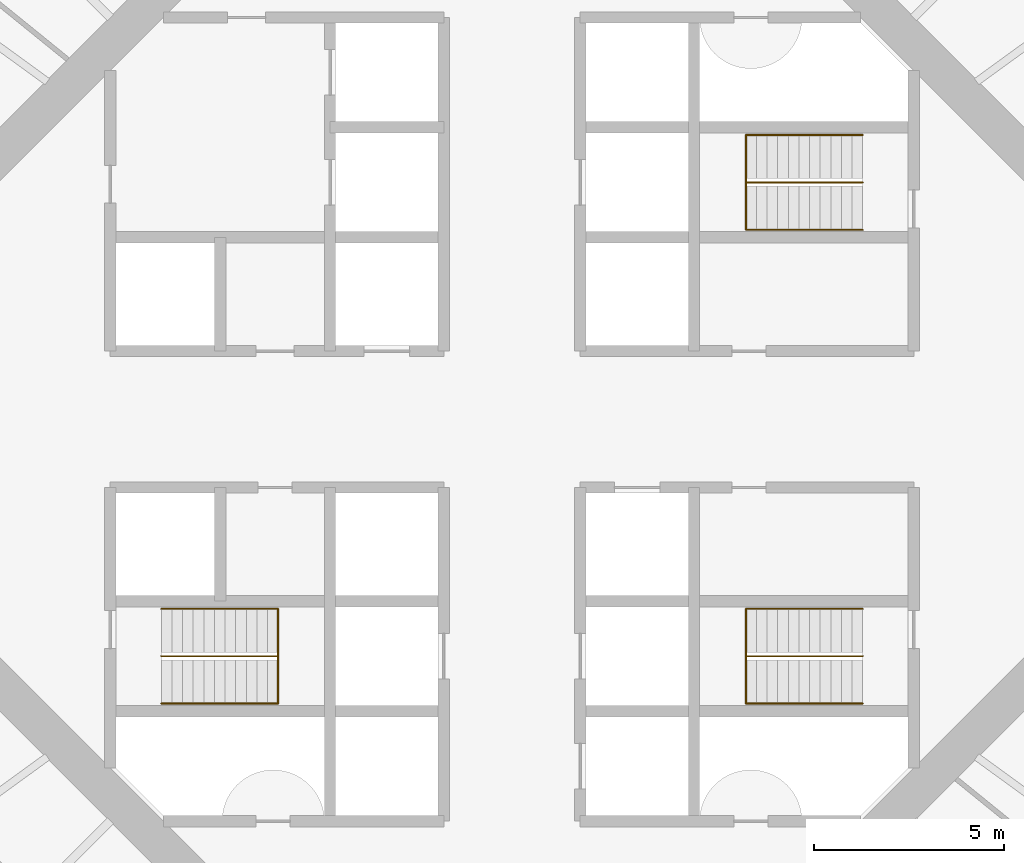
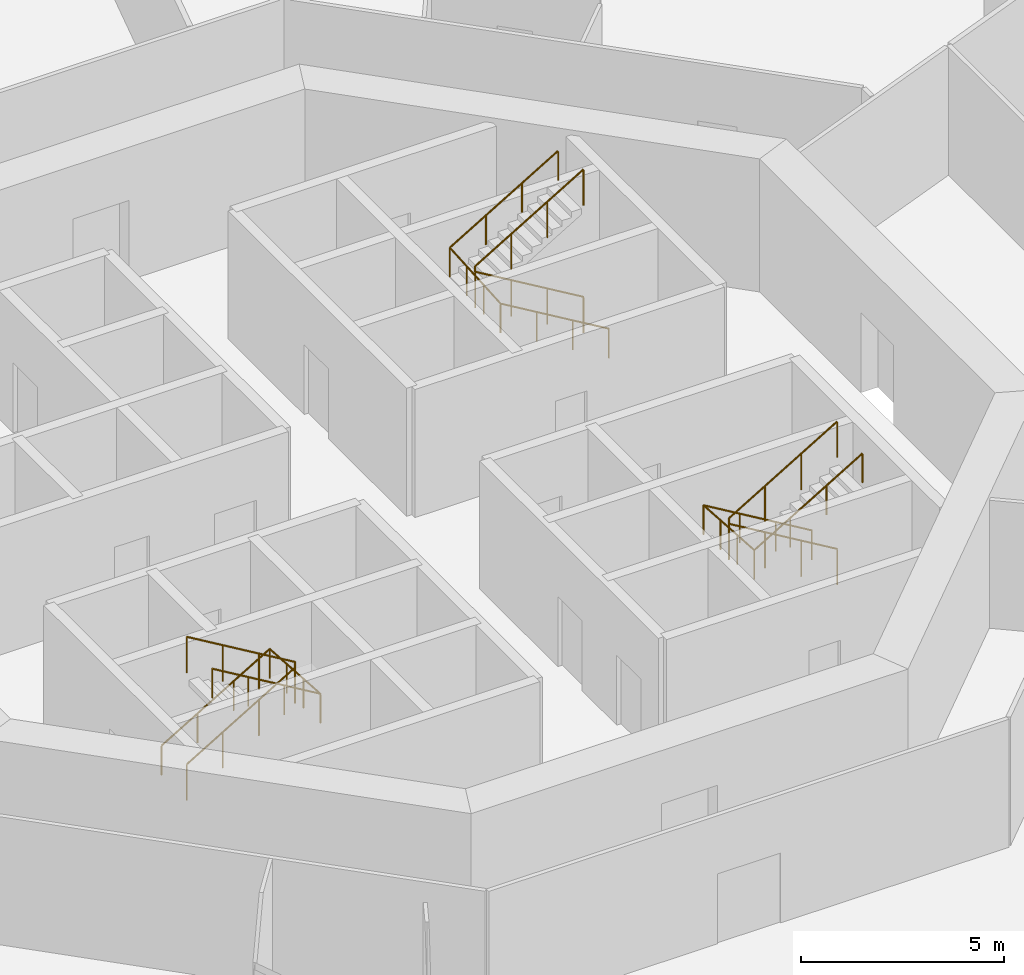
# One storey, part 12 of 12: 6 railings.
"""IFC4 building model written with IfcOpenShell, lengths in metres."""

import ifcopenshell
import ifcopenshell.guid

model = None  # the IFC model being written
_history = None  # IfcOwnerHistory: only IFC2X3 demands one
_inside = {}  # id of a spatial element -> (the spatial element, [elements in it])
_under = {}  # id of a project, library or spatial element -> (it, [spatial elements below it])
_declared = {}  # id of a project -> (the project, [libraries it declares])
_typed = {}  # id of a type object -> (the type object, [elements of that type])
_made_of = {}  # id of a material, layer set ... -> (it, [elements and type objects made of it])


def new_model(schema):
    """Start an empty IFC model of exactly this schema.

    Asked for "IFC4X3", IfcOpenShell would pick the latest addendum, in which some entities
    have other attributes; the version numbers below select the first issue.
    IFC2X3 requires an IfcOwnerHistory on every rooted entity: one is made here for all.
    """
    global model, _history
    if schema == "IFC4X3":
        model = ifcopenshell.file(schema_version=(4, 3, 0, 0))
    else:
        model = ifcopenshell.file(schema=schema)
    _inside.clear()
    _under.clear()
    _declared.clear()
    _typed.clear()
    _made_of.clear()
    _history = None
    if model.schema == "IFC2X3":
        org = make("IfcOrganization", Name="unknown")
        user = make(
            "IfcPersonAndOrganization",
            ThePerson=make("IfcPerson", FamilyName="unknown"),
            TheOrganization=org,
        )
        app = make(
            "IfcApplication",
            ApplicationDeveloper=org,
            Version="unknown",
            ApplicationFullName="unknown",
            ApplicationIdentifier="unknown",
        )
        _history = make(
            "IfcOwnerHistory",
            OwningUser=user,
            OwningApplication=app,
            ChangeAction="ADDED",
            CreationDate=0,
        )
    return model


def make(cls, **values):
    """One entity of the class cls with the attributes given. An attribute that is None is left unset."""
    return model.create_entity(
        cls, **{name: value for name, value in values.items() if value is not None}
    )


def rooted(cls, **values):
    """An entity with a GlobalId (a new one), such as an element, a storey or a relation."""
    return make(cls, GlobalId=ifcopenshell.guid.new(), OwnerHistory=_history, **values)


def si_unit(unit_type, name, prefix=None):
    """IfcSIUnit, for example si_unit("LENGTHUNIT", "METRE", prefix="MILLI")."""
    return make("IfcSIUnit", UnitType=unit_type, Prefix=prefix, Name=name)


def assignment(units):
    """IfcUnitAssignment: the units of a project."""
    return None if units is None else make("IfcUnitAssignment", Units=units)


def point(xyz):
    """IfcCartesianPoint."""
    return None if xyz is None else make("IfcCartesianPoint", Coordinates=xyz)


def direction(xyz):
    """IfcDirection."""
    return None if xyz is None else make("IfcDirection", DirectionRatios=xyz)


def frame(location, z_axis=None, x_axis=None):
    """IfcAxis2Placement3D, a coordinate frame: its origin and axes. An axis left out is left unset."""
    return make(
        "IfcAxis2Placement3D",
        Location=point(location),
        Axis=direction(z_axis),
        RefDirection=direction(x_axis),
    )


def frame_2d(location, x_axis=None):
    """IfcAxis2Placement2D, a coordinate frame in the plane: its origin and x axis."""
    return make(
        "IfcAxis2Placement2D", Location=point(location), RefDirection=direction(x_axis)
    )


def origin():
    """The frame at (0, 0, 0) with its axes left unset."""
    return frame((0.0, 0.0, 0.0))


def origin_2d():
    """The frame at (0, 0) in the plane with its x axis left unset."""
    return frame_2d((0.0, 0.0))


def place(relative_to, where):
    """IfcLocalPlacement: puts the frame where relative to a parent placement (None: the world)."""
    return make(
        "IfcLocalPlacement", PlacementRelTo=relative_to, RelativePlacement=where
    )


def context(
    kind, dimensions, precision=None, world=None, true_north=None, identifier=None
):
    """IfcGeometricRepresentationContext, for example the 3D "Model" context."""
    return make(
        "IfcGeometricRepresentationContext",
        ContextIdentifier=identifier,
        ContextType=kind,
        CoordinateSpaceDimension=dimensions,
        Precision=precision,
        WorldCoordinateSystem=world,
        TrueNorth=true_north,
    )


def subcontext(parent, identifier, kind, view, scale=None):
    """IfcGeometricRepresentationSubContext, for example "Body" below "Model"."""
    return make(
        "IfcGeometricRepresentationSubContext",
        ContextIdentifier=identifier,
        ContextType=kind,
        ParentContext=parent,
        TargetScale=scale,
        TargetView=view,
    )


def project(units=None, contexts=None):
    """IfcProject with its units and contexts."""
    return rooted(
        "IfcProject",
        Name="project",
        RepresentationContexts=contexts,
        UnitsInContext=assignment(units),
    )


def spatial(cls, under=None, at=None, **own):
    """A site, building, storey or space (cls), placed at a placement, below another one or the project."""
    s = rooted(cls, ObjectPlacement=at, **own)
    if under is not None:
        _under.setdefault(under.id(), (under, []))[1].append(s)
    return s


def profile(cls, at=None, kind="AREA", **sizes):
    """A parametric profile (cls). Its sizes go by their IFC names, for example OverallWidth=200.0."""
    return make(cls, ProfileType=kind, Position=at, **sizes)


def circle(**sizes):
    """IfcCircleProfileDef."""
    return profile("IfcCircleProfileDef", **sizes)


def extrude(swept, where, along, depth):
    """IfcExtrudedAreaSolid: the profile swept, set in the frame where, extruded along a direction by depth."""
    return make(
        "IfcExtrudedAreaSolid",
        SweptArea=swept,
        Position=where,
        ExtrudedDirection=direction(along),
        Depth=depth,
    )


def shape(context_of_items, identifier, shape_type, items):
    """IfcShapeRepresentation: the items that make up one representation, for example the "Body"."""
    return make(
        "IfcShapeRepresentation",
        ContextOfItems=context_of_items,
        RepresentationIdentifier=identifier,
        RepresentationType=shape_type,
        Items=items,
    )


def material(Name=None, Category=None):
    """IfcMaterial."""
    return make("IfcMaterial", Name=Name, Category=Category)


def made_of(thing, what):
    """Note that an element or type object is made of a material, layer set ...; save() writes the relation."""
    if what is not None:
        _made_of.setdefault(what.id(), (what, []))[1].append(thing)
    return thing


def type_object(cls, material=None, **own):
    """A type object (cls), such as IfcWallType, which elements share."""
    return made_of(rooted(cls, **own), material)


def element(
    cls,
    number,
    at=None,
    inside=None,
    cuts=None,
    type_object=None,
    material=None,
    context=None,
    identifier="Body",
    shape_type=None,
    held_by="IfcProductDefinitionShape",
    body=None,
    shapes=None,
    **own,
):
    """One element of the class cls, such as IfcWall. Its Tag is "e" and its number.

    at: its placement. inside: the storey or other place that contains it. cuts: it is an
    opening in that element (IfcRelVoidsElement). A single representation is given by context,
    identifier, shape_type and body (its items); several are given by shapes. held_by: the class
    of the entity that holds the representations. save() writes the other relations.
    """
    e = rooted(cls, Tag="e%d" % number, ObjectPlacement=at, **own)
    if body is not None:
        shapes = [shape(context, identifier, shape_type, body)]
    if shapes is not None:
        e.Representation = make(held_by, Representations=shapes)
    if inside is not None:
        _inside.setdefault(inside.id(), (inside, []))[1].append(e)
    if cuts is not None:
        rooted(
            "IfcRelVoidsElement", RelatingBuildingElement=cuts, RelatedOpeningElement=e
        )
    if type_object is not None:
        _typed.setdefault(type_object.id(), (type_object, []))[1].append(e)
    return made_of(e, material)


def aggregate(whole, parts):
    """IfcRelAggregates: a whole, such as a stair, and the parts it consists of."""
    return rooted("IfcRelAggregates", RelatingObject=whole, RelatedObjects=parts)


def save(model, path):
    """Write the relations noted so far, then the file.

    IfcRelAggregates (storeys below a building ...), IfcRelContainedInSpatialStructure (elements
    in a storey), IfcRelDefinesByType, IfcRelAssociatesMaterial and IfcRelDeclares: one each for
    every whole, place, type object, material and project.
    """
    for whole, parts in _under.values():
        aggregate(whole, parts)
    for where, things in _inside.values():
        rooted(
            "IfcRelContainedInSpatialStructure",
            RelatedElements=things,
            RelatingStructure=where,
        )
    for kind, things in _typed.values():
        rooted("IfcRelDefinesByType", RelatedObjects=things, RelatingType=kind)
    for what, things in _made_of.values():
        rooted("IfcRelAssociatesMaterial", RelatedObjects=things, RelatingMaterial=what)
    for by, libraries in _declared.values():
        rooted("IfcRelDeclares", RelatingContext=by, RelatedDefinitions=libraries)
    model.write(path)


model = new_model("IFC4")

# Units and contexts
model_context = context("Model", 3, precision=1e-05, world=origin(), true_north=direction((0.0, 1.0)))
body_context = subcontext(model_context, "Body", "Model", "MODEL_VIEW")
ifc_project = project(units=[si_unit("LENGTHUNIT", "METRE"), si_unit("AREAUNIT", "SQUARE_METRE"), si_unit("VOLUMEUNIT", "CUBIC_METRE"), si_unit("PLANEANGLEUNIT", "RADIAN"), si_unit("MASSUNIT", "GRAM", prefix="KILO")], contexts=[model_context])

# Site, building, storey
site_placement = place(None, origin())
site = spatial("IfcSite", under=ifc_project, at=site_placement, CompositionType="ELEMENT")
building_placement = place(site_placement, origin())
building = spatial("IfcBuilding", under=site, at=building_placement, Name="Entoto Ring Tower", CompositionType="ELEMENT")
storey_placement = place(building_placement, frame((0.0, 0.0, 148.0)))
storey = spatial("IfcBuildingStorey", under=building, at=storey_placement, Name="L33", CompositionType="ELEMENT", Elevation=148.0)

# Railings
ifc_material_1 = material(Name="Steel S275", Category="steel")
railing_type_1 = type_object("IfcRailingType", Name="Stair guard 1100 mm steel", PredefinedType="GUARDRAIL", material=ifc_material_1)
railing_1_placement = place(storey_placement, frame((99.25, 86.25, 0.166748046875)))
element("IfcRailing", 1, at=railing_1_placement, inside=storey, type_object=railing_type_1, Name="Guard ST1", PredefinedType="GUARDRAIL", context=body_context, shape_type="SweptSolid", body=[
    extrude(circle(Radius=0.02392578125, at=origin_2d()), frame((0.0, 0.0, 1.076171875), z_axis=(-0.859308565015, 0.0, 0.511457515432), x_axis=(0.0, -1.0, 0.0)), (0.0, 0.0, 1.0), 3.58447265625),
    extrude(circle(Radius=0.02392578125, at=origin_2d()), frame((-3.080078125, 0.0, 2.9091796875), z_axis=(0.0, 0.0, 1.0), x_axis=(1.0, 0.0, 0.0)), (0.0, 0.0, 1.0), 0.166748046875),
    extrude(circle(Radius=0.02392578125, at=origin_2d()), frame((-3.080078125, 0.0, 3.076171875), z_axis=(0.859308565015, 0.0, 0.511457515432), x_axis=(0.0, 1.0, 0.0)), (0.0, 0.0, 1.0), 3.58447265625),
    extrude(circle(Radius=0.02099609375, at=origin_2d()), origin(), (0.0, 0.0, 1.0), 1.052001953125),
    extrude(circle(Radius=0.02099609375, at=origin_2d()), frame((-1.026611328125, 0.0, 0.611083984375)), (0.0, 0.0, 1.0), 1.052001953125),
    extrude(circle(Radius=0.02099609375, at=origin_2d()), frame((-2.053466796875, 0.0, 1.22216796875)), (0.0, 0.0, 1.0), 1.052001953125),
    extrude(circle(Radius=0.02099609375, at=origin_2d()), frame((-3.080078125, 0.0, 1.833251953125)), (0.0, 0.0, 1.0), 1.052001953125),
    extrude(circle(Radius=0.02099609375, at=origin_2d()), frame((-3.080078125, 0.0, 2.0)), (0.0, 0.0, 1.0), 1.052001953125),
    extrude(circle(Radius=0.02099609375, at=origin_2d()), frame((-2.053466796875, 0.0, 2.611083984375)), (0.0, 0.0, 1.0), 1.052001953125),
    extrude(circle(Radius=0.02099609375, at=origin_2d()), frame((-1.026611328125, 0.0, 3.22216796875)), (0.0, 0.0, 1.0), 1.052001953125),
    extrude(circle(Radius=0.02099609375, at=origin_2d()), frame((0.0, 0.0, 3.833251953125)), (0.0, 0.0, 1.0), 1.052001953125),
])
railing_2_placement = place(storey_placement, frame((80.75, 73.75, 0.166748046875)))
element("IfcRailing", 2, at=railing_2_placement, inside=storey, type_object=railing_type_1, Name="Guard ST2", PredefinedType="GUARDRAIL", context=body_context, shape_type="SweptSolid", body=[
    extrude(circle(Radius=0.02392578125, at=origin_2d()), frame((0.0, 0.0, 1.076171875), z_axis=(0.859308565015, 0.0, 0.511457515432), x_axis=(0.0, 1.0, 0.0)), (0.0, 0.0, 1.0), 3.58447265625),
    extrude(circle(Radius=0.02392578125, at=origin_2d()), frame((3.080078125, 0.0, 2.9091796875), z_axis=(0.0, 0.0, 1.0), x_axis=(1.0, 0.0, 0.0)), (0.0, 0.0, 1.0), 0.166748046875),
    extrude(circle(Radius=0.02392578125, at=origin_2d()), frame((3.080078125, 0.0, 3.076171875), z_axis=(-0.859308565015, 0.0, 0.511457515432), x_axis=(0.0, -1.0, 0.0)), (0.0, 0.0, 1.0), 3.58447265625),
    extrude(circle(Radius=0.02099609375, at=origin_2d()), origin(), (0.0, 0.0, 1.0), 1.052001953125),
    extrude(circle(Radius=0.02099609375, at=origin_2d()), frame((1.026611328125, 0.0, 0.611083984375)), (0.0, 0.0, 1.0), 1.052001953125),
    extrude(circle(Radius=0.02099609375, at=origin_2d()), frame((2.053466796875, 0.0, 1.22216796875)), (0.0, 0.0, 1.0), 1.052001953125),
    extrude(circle(Radius=0.02099609375, at=origin_2d()), frame((3.080078125, 0.0, 1.833251953125)), (0.0, 0.0, 1.0), 1.052001953125),
    extrude(circle(Radius=0.02099609375, at=origin_2d()), frame((3.080078125, 0.0, 2.0)), (0.0, 0.0, 1.0), 1.052001953125),
    extrude(circle(Radius=0.02099609375, at=origin_2d()), frame((2.053466796875, 0.0, 2.611083984375)), (0.0, 0.0, 1.0), 1.052001953125),
    extrude(circle(Radius=0.02099609375, at=origin_2d()), frame((1.026611328125, 0.0, 3.22216796875)), (0.0, 0.0, 1.0), 1.052001953125),
    extrude(circle(Radius=0.02099609375, at=origin_2d()), frame((0.0, 0.0, 3.833251953125)), (0.0, 0.0, 1.0), 1.052001953125),
])
railing_3_placement = place(storey_placement, frame((99.25, 73.75, 0.166748046875)))
element("IfcRailing", 3, at=railing_3_placement, inside=storey, type_object=railing_type_1, Name="Guard ST3", PredefinedType="GUARDRAIL", context=body_context, shape_type="SweptSolid", body=[
    extrude(circle(Radius=0.02392578125, at=origin_2d()), frame((0.0, 0.0, 1.076171875), z_axis=(-0.859308565015, 0.0, 0.511457515432), x_axis=(0.0, -1.0, 0.0)), (0.0, 0.0, 1.0), 3.58447265625),
    extrude(circle(Radius=0.02392578125, at=origin_2d()), frame((-3.080078125, 0.0, 2.9091796875), z_axis=(0.0, 0.0, 1.0), x_axis=(1.0, 0.0, 0.0)), (0.0, 0.0, 1.0), 0.166748046875),
    extrude(circle(Radius=0.02392578125, at=origin_2d()), frame((-3.080078125, 0.0, 3.076171875), z_axis=(0.859308565015, 0.0, 0.511457515432), x_axis=(0.0, 1.0, 0.0)), (0.0, 0.0, 1.0), 3.58447265625),
    extrude(circle(Radius=0.02099609375, at=origin_2d()), origin(), (0.0, 0.0, 1.0), 1.052001953125),
    extrude(circle(Radius=0.02099609375, at=origin_2d()), frame((-1.026611328125, 0.0, 0.611083984375)), (0.0, 0.0, 1.0), 1.052001953125),
    extrude(circle(Radius=0.02099609375, at=origin_2d()), frame((-2.053466796875, 0.0, 1.22216796875)), (0.0, 0.0, 1.0), 1.052001953125),
    extrude(circle(Radius=0.02099609375, at=origin_2d()), frame((-3.080078125, 0.0, 1.833251953125)), (0.0, 0.0, 1.0), 1.052001953125),
    extrude(circle(Radius=0.02099609375, at=origin_2d()), frame((-3.080078125, 0.0, 2.0)), (0.0, 0.0, 1.0), 1.052001953125),
    extrude(circle(Radius=0.02099609375, at=origin_2d()), frame((-2.053466796875, 0.0, 2.611083984375)), (0.0, 0.0, 1.0), 1.052001953125),
    extrude(circle(Radius=0.02099609375, at=origin_2d()), frame((-1.026611328125, 0.0, 3.22216796875)), (0.0, 0.0, 1.0), 1.052001953125),
    extrude(circle(Radius=0.02099609375, at=origin_2d()), frame((0.0, 0.0, 3.833251953125)), (0.0, 0.0, 1.0), 1.052001953125),
])
ifc_material_2 = material(Name="Steel S275", Category="steel")
railing_type_2 = type_object("IfcRailingType", Name="Stair handrail 900 mm steel", PredefinedType="HANDRAIL", material=ifc_material_2)
railing_4_placement = place(storey_placement, frame((99.25, 85.0, 0.166748046875)))
element("IfcRailing", 4, at=railing_4_placement, inside=storey, type_object=railing_type_2, Name="Handrail ST1", PredefinedType="HANDRAIL", context=body_context, shape_type="SweptSolid", body=[
    extrude(circle(Radius=0.02392578125, at=origin_2d()), frame((0.0, 0.0, 0.8759765625), z_axis=(-0.859308565015, 0.0, 0.511457515432), x_axis=(0.0, -1.0, 0.0)), (0.0, 0.0, 1.0), 3.58447265625),
    extrude(circle(Radius=0.02392578125, at=origin_2d()), frame((-3.080078125, 0.0, 2.708984375), z_axis=(0.0, 0.997783001586, 0.066551346688), x_axis=(-1.0, 0.0, 0.0)), (0.0, 0.0, 1.0), 2.505615234375),
    extrude(circle(Radius=0.02392578125, at=origin_2d()), frame((-3.080078125, 2.5, 2.8759765625), z_axis=(0.859308565015, 0.0, 0.511457515432), x_axis=(0.0, 1.0, 0.0)), (0.0, 0.0, 1.0), 3.58447265625),
    extrude(circle(Radius=0.02099609375, at=origin_2d()), origin(), (0.0, 0.0, 1.0), 0.851806640625),
    extrude(circle(Radius=0.02099609375, at=origin_2d()), frame((-1.026611328125, 0.0, 0.611083984375)), (0.0, 0.0, 1.0), 0.851806640625),
    extrude(circle(Radius=0.02099609375, at=origin_2d()), frame((-2.053466796875, 0.0, 1.22216796875)), (0.0, 0.0, 1.0), 0.851806640625),
    extrude(circle(Radius=0.02099609375, at=origin_2d()), frame((-3.080078125, 0.0, 1.833251953125)), (0.0, 0.0, 1.0), 0.851806640625),
    extrude(circle(Radius=0.02099609375, at=origin_2d()), frame((-3.080078125, 0.833251953125, 1.888916015625)), (0.0, 0.0, 1.0), 0.851806640625),
    extrude(circle(Radius=0.02099609375, at=origin_2d()), frame((-3.080078125, 1.666748046875, 1.9443359375)), (0.0, 0.0, 1.0), 0.851806640625),
    extrude(circle(Radius=0.02099609375, at=origin_2d()), frame((-3.080078125, 2.5, 2.0)), (0.0, 0.0, 1.0), 0.851806640625),
    extrude(circle(Radius=0.02099609375, at=origin_2d()), frame((-2.053466796875, 2.5, 2.611083984375)), (0.0, 0.0, 1.0), 0.851806640625),
    extrude(circle(Radius=0.02099609375, at=origin_2d()), frame((-1.026611328125, 2.5, 3.22216796875)), (0.0, 0.0, 1.0), 0.851806640625),
    extrude(circle(Radius=0.02099609375, at=origin_2d()), frame((0.0, 2.5, 3.833251953125)), (0.0, 0.0, 1.0), 0.851806640625),
])
railing_5_placement = place(storey_placement, frame((80.75, 75.0, 0.166748046875)))
element("IfcRailing", 5, at=railing_5_placement, inside=storey, type_object=railing_type_2, Name="Handrail ST2", PredefinedType="HANDRAIL", context=body_context, shape_type="SweptSolid", body=[
    extrude(circle(Radius=0.02392578125, at=origin_2d()), frame((0.0, 0.0, 0.8759765625), z_axis=(0.859308565015, 0.0, 0.511457515432), x_axis=(0.0, 1.0, 0.0)), (0.0, 0.0, 1.0), 3.58447265625),
    extrude(circle(Radius=0.02392578125, at=origin_2d()), frame((3.080078125, 0.0, 2.708984375), z_axis=(0.0, -0.997783001586, 0.066551346688), x_axis=(1.0, 0.0, 0.0)), (0.0, 0.0, 1.0), 2.505615234375),
    extrude(circle(Radius=0.02392578125, at=origin_2d()), frame((3.080078125, -2.5, 2.8759765625), z_axis=(-0.859308565015, 0.0, 0.511457515432), x_axis=(0.0, -1.0, 0.0)), (0.0, 0.0, 1.0), 3.58447265625),
    extrude(circle(Radius=0.02099609375, at=origin_2d()), origin(), (0.0, 0.0, 1.0), 0.851806640625),
    extrude(circle(Radius=0.02099609375, at=origin_2d()), frame((1.026611328125, 0.0, 0.611083984375)), (0.0, 0.0, 1.0), 0.851806640625),
    extrude(circle(Radius=0.02099609375, at=origin_2d()), frame((2.053466796875, 0.0, 1.22216796875)), (0.0, 0.0, 1.0), 0.851806640625),
    extrude(circle(Radius=0.02099609375, at=origin_2d()), frame((3.080078125, 0.0, 1.833251953125)), (0.0, 0.0, 1.0), 0.851806640625),
    extrude(circle(Radius=0.02099609375, at=origin_2d()), frame((3.080078125, -0.833251953125, 1.888916015625)), (0.0, 0.0, 1.0), 0.851806640625),
    extrude(circle(Radius=0.02099609375, at=origin_2d()), frame((3.080078125, -1.666748046875, 1.9443359375)), (0.0, 0.0, 1.0), 0.851806640625),
    extrude(circle(Radius=0.02099609375, at=origin_2d()), frame((3.080078125, -2.5, 2.0)), (0.0, 0.0, 1.0), 0.851806640625),
    extrude(circle(Radius=0.02099609375, at=origin_2d()), frame((2.053466796875, -2.5, 2.611083984375)), (0.0, 0.0, 1.0), 0.851806640625),
    extrude(circle(Radius=0.02099609375, at=origin_2d()), frame((1.026611328125, -2.5, 3.22216796875)), (0.0, 0.0, 1.0), 0.851806640625),
    extrude(circle(Radius=0.02099609375, at=origin_2d()), frame((0.0, -2.5, 3.833251953125)), (0.0, 0.0, 1.0), 0.851806640625),
])
railing_6_placement = place(storey_placement, frame((99.25, 75.0, 0.166748046875)))
element("IfcRailing", 6, at=railing_6_placement, inside=storey, type_object=railing_type_2, Name="Handrail ST3", PredefinedType="HANDRAIL", context=body_context, shape_type="SweptSolid", body=[
    extrude(circle(Radius=0.02392578125, at=origin_2d()), frame((0.0, 0.0, 0.8759765625), z_axis=(-0.859308565015, 0.0, 0.511457515432), x_axis=(0.0, -1.0, 0.0)), (0.0, 0.0, 1.0), 3.58447265625),
    extrude(circle(Radius=0.02392578125, at=origin_2d()), frame((-3.080078125, 0.0, 2.708984375), z_axis=(0.0, -0.997783001586, 0.066551346688), x_axis=(1.0, 0.0, 0.0)), (0.0, 0.0, 1.0), 2.505615234375),
    extrude(circle(Radius=0.02392578125, at=origin_2d()), frame((-3.080078125, -2.5, 2.8759765625), z_axis=(0.859308565015, 0.0, 0.511457515432), x_axis=(0.0, 1.0, 0.0)), (0.0, 0.0, 1.0), 3.58447265625),
    extrude(circle(Radius=0.02099609375, at=origin_2d()), origin(), (0.0, 0.0, 1.0), 0.851806640625),
    extrude(circle(Radius=0.02099609375, at=origin_2d()), frame((-1.026611328125, 0.0, 0.611083984375)), (0.0, 0.0, 1.0), 0.851806640625),
    extrude(circle(Radius=0.02099609375, at=origin_2d()), frame((-2.053466796875, 0.0, 1.22216796875)), (0.0, 0.0, 1.0), 0.851806640625),
    extrude(circle(Radius=0.02099609375, at=origin_2d()), frame((-3.080078125, 0.0, 1.833251953125)), (0.0, 0.0, 1.0), 0.851806640625),
    extrude(circle(Radius=0.02099609375, at=origin_2d()), frame((-3.080078125, -0.833251953125, 1.888916015625)), (0.0, 0.0, 1.0), 0.851806640625),
    extrude(circle(Radius=0.02099609375, at=origin_2d()), frame((-3.080078125, -1.666748046875, 1.9443359375)), (0.0, 0.0, 1.0), 0.851806640625),
    extrude(circle(Radius=0.02099609375, at=origin_2d()), frame((-3.080078125, -2.5, 2.0)), (0.0, 0.0, 1.0), 0.851806640625),
    extrude(circle(Radius=0.02099609375, at=origin_2d()), frame((-2.053466796875, -2.5, 2.611083984375)), (0.0, 0.0, 1.0), 0.851806640625),
    extrude(circle(Radius=0.02099609375, at=origin_2d()), frame((-1.026611328125, -2.5, 3.22216796875)), (0.0, 0.0, 1.0), 0.851806640625),
    extrude(circle(Radius=0.02099609375, at=origin_2d()), frame((0.0, -2.5, 3.833251953125)), (0.0, 0.0, 1.0), 0.851806640625),
])

save(model, "model.ifc")
